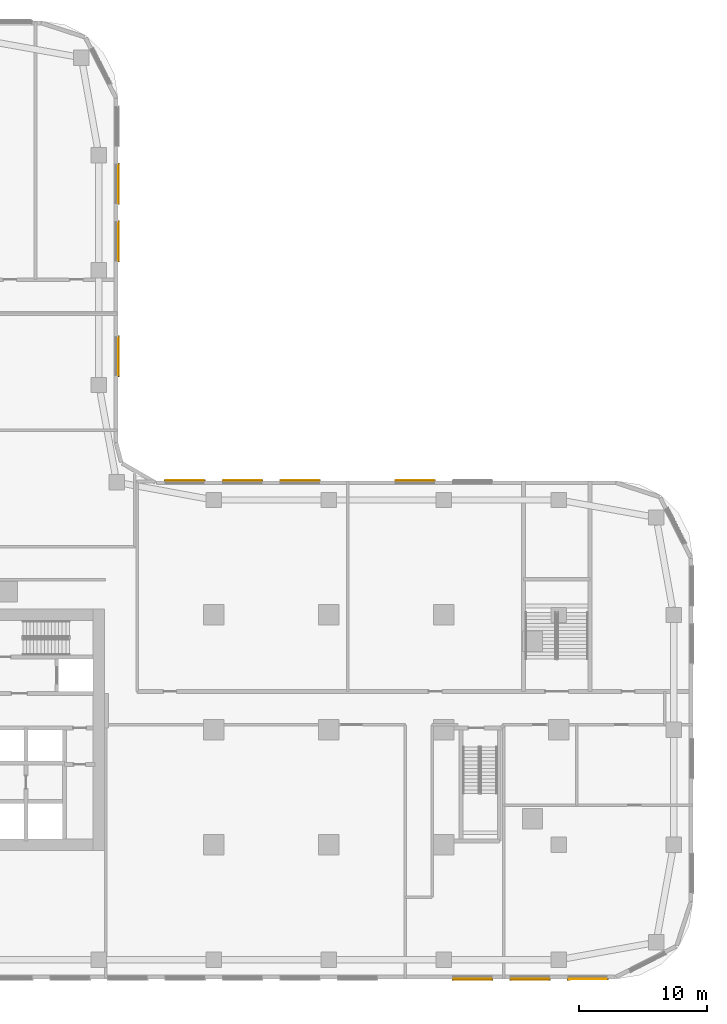
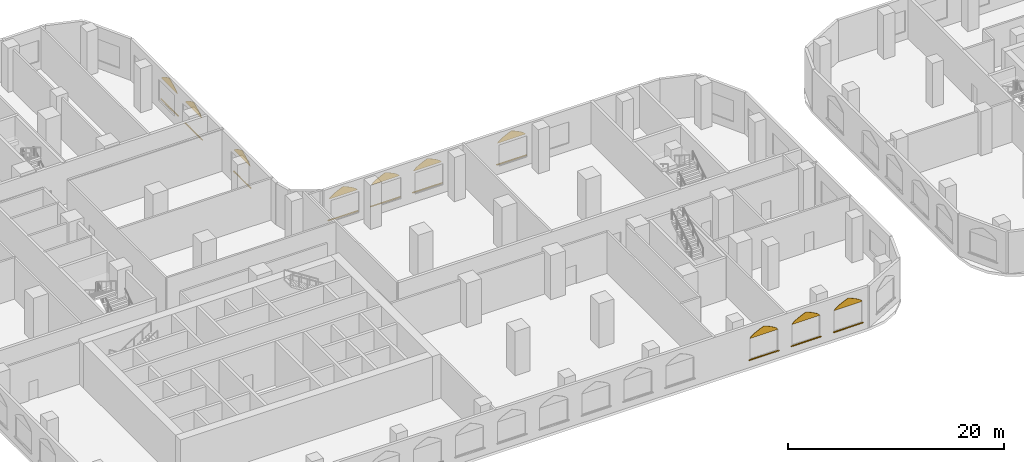
# One storey, part 25 of 31: 20 coverings.
"""IFC4 building model written with IfcOpenShell, lengths in metres."""

from ifc_helpers import new_model, si_unit, direction, frame, origin, origin_2d, place, context, subcontext, project, spatial, polyline, rectangle, outline, extrude, material, layer, layer_set, type_object, element, save


model = new_model("IFC4")

# Units and contexts
model_context = context("Model", 3, precision=1e-05, world=origin(), true_north=direction((0.0, 1.0)))
body_context = subcontext(model_context, "Body", "Model", "MODEL_VIEW")
ifc_project = project(units=[si_unit("LENGTHUNIT", "METRE"), si_unit("AREAUNIT", "SQUARE_METRE"), si_unit("VOLUMEUNIT", "CUBIC_METRE"), si_unit("PLANEANGLEUNIT", "RADIAN"), si_unit("MASSUNIT", "GRAM", prefix="KILO")], contexts=[model_context])

# Site, building, storey
site_placement = place(None, origin())
site = spatial("IfcSite", under=ifc_project, at=site_placement, CompositionType="ELEMENT")
building_placement = place(site_placement, origin())
building = spatial("IfcBuilding", under=site, at=building_placement, Name="Ogive Portal Towers", CompositionType="ELEMENT")
storey_placement = place(building_placement, frame((0.0, 0.0, 13.5)))
storey = spatial("IfcBuildingStorey", under=building, at=storey_placement, Name="L02", CompositionType="ELEMENT", Elevation=13.5)

# Coverings
ifc_material = material(Name="Limestone cladding on lightweight block wall", Category="masonry")
ifc_layer_1 = layer(ifc_material, 0.0400390625)
ifc_layer_set_1 = layer_set([ifc_layer_1], Name="LANCET HEAD STONE")
covering_type_1 = type_object("IfcCoveringType", Name="LANCET HEAD STONE", PredefinedType="CLADDING", material=ifc_layer_set_1)
for number, where, z_axis, x_axis, name in (
    (1, (86.25, 11.0, 3.300048828125), (0.0, 0.999950056531, 0.009994220538), (1.0, 0.0, 0.0), "Lancet head"),
    (2, (90.75, 11.0, 3.300048828125), (0.0, 0.999950056531, 0.009994220538), (1.0, 0.0, 0.0), "Lancet head"),
):
    element("IfcCovering", number, at=place(storey_placement, frame(where, z_axis=z_axis, x_axis=x_axis)), inside=storey, type_object=covering_type_1, Name=name, PredefinedType="CLADDING", context=body_context, shape_type="SweptSolid", body=[
        extrude(outline(polyline([(0.0, 0.0), (3.0, 0.0), (2.93359375, -0.11255540702230543), (2.8125, -0.22486424561759202), (2.655517578125, -0.3374196526398974), (2.4697265625, -0.4499726196669543), (2.2587890625, -0.5625280266892596), (2.025634765625, -0.6750834337115651), (1.772216796875, -0.7873922723068517), (1.5, -0.8999476793291572), (1.227783203125, -0.7873922723068517), (0.974365234375, -0.6750834337115651), (0.7412109375, -0.5625280266892596), (0.5302734375, -0.4499726196669543), (0.344482421875, -0.3374196526398974), (0.1875, -0.22486424561759202), (0.06640625, -0.11255540702230543), (0.0, 0.0)])), origin(), (0.0, 0.0, -1.0), 0.0400390625),
    ])
covering_1_placement = place(storey_placement, frame((95.273681640625, 11.0, 3.300048828125), z_axis=(0.0, 0.99995005646, 0.009994227635), x_axis=(1.0, 0.0, 0.0)))
element("IfcCovering", 3, at=covering_1_placement, inside=storey, type_object=covering_type_1, Name="Lancet head", PredefinedType="CLADDING", context=body_context, shape_type="SweptSolid", body=[
    extrude(outline(polyline([(0.0, 0.0), (3.0, 0.0), (2.933837890625, -0.11255540702298532), (2.8125, -0.22486424561723664), (2.655517578125, -0.33741965264022195), (2.4697265625, -0.44997261966622615), (2.259033203125, -0.5625280266892115), (2.02587890625, -0.6750834337121968), (1.7724609375, -0.7873922723064481), (1.5, -0.8999476793294334), (1.227783203125, -0.7873922723064481), (0.974365234375, -0.6750834337121968), (0.7412109375, -0.5625280266892115), (0.530517578125, -0.44997261966622615), (0.344482421875, -0.33741965264022195), (0.1875, -0.22486424561723664), (0.06640625, -0.11255540702298532), (0.0, 0.0)])), origin(), (0.0, 0.0, -1.0), 0.0400390625),
])
for number, where, z_axis, x_axis, name in (
    (4, (84.75, 50.0, 3.300048828125), (0.0, -0.999950056531, 0.009994220538), (-1.0, 0.0, 0.0), "Lancet head"),
    (5, (75.75, 50.0, 3.300048828125), (0.0, -0.999950056531, 0.009994220538), (-1.0, 0.0, 0.0), "Lancet head"),
    (6, (71.25, 50.0, 3.300048828125), (0.0, -0.999950056531, 0.009994220538), (-1.0, 0.0, 0.0), "Lancet head"),
):
    element("IfcCovering", number, at=place(storey_placement, frame(where, z_axis=z_axis, x_axis=x_axis)), inside=storey, type_object=covering_type_1, Name=name, PredefinedType="CLADDING", context=body_context, shape_type="SweptSolid", body=[
        extrude(outline(polyline([(0.0, 0.0), (3.0, 0.0), (2.93359375, -0.11255540702230543), (2.8125, -0.22486424561759202), (2.655517578125, -0.3374196526398974), (2.4697265625, -0.4499726196669543), (2.2587890625, -0.5625280266892596), (2.025634765625, -0.6750834337115651), (1.772216796875, -0.7873922723068517), (1.5, -0.8999476793291572), (1.227783203125, -0.7873922723068517), (0.974365234375, -0.6750834337115651), (0.7412109375, -0.5625280266892596), (0.5302734375, -0.4499726196669543), (0.344482421875, -0.3374196526398974), (0.1875, -0.22486424561759202), (0.06640625, -0.11255540702230543), (0.0, 0.0)])), origin(), (0.0, 0.0, -1.0), 0.0400390625),
    ])
covering_2_placement = place(storey_placement, frame((66.726318359375, 50.0, 3.300048828125), z_axis=(0.0, -0.99995005646, 0.009994227635), x_axis=(-1.0, 0.0, 0.0)))
element("IfcCovering", 7, at=covering_2_placement, inside=storey, type_object=covering_type_1, Name="Lancet head", PredefinedType="CLADDING", context=body_context, shape_type="SweptSolid", body=[
    extrude(outline(polyline([(0.0, 0.0), (3.0, 0.0), (2.933837890625, -0.11255540702298532), (2.8125, -0.22486424561723664), (2.655517578125, -0.33741965264022195), (2.4697265625, -0.44997261966622615), (2.259033203125, -0.5625280266892115), (2.02587890625, -0.6750834337121968), (1.7724609375, -0.7873922723064481), (1.5, -0.8999476793294334), (1.227783203125, -0.7873922723064481), (0.974365234375, -0.6750834337121968), (0.7412109375, -0.5625280266892115), (0.530517578125, -0.44997261966622615), (0.344482421875, -0.33741965264022195), (0.1875, -0.22486424561723664), (0.06640625, -0.11255540702298532), (0.0, 0.0)])), origin(), (0.0, 0.0, -1.0), 0.0400390625),
])
for number, where, z_axis, x_axis, name in (
    (8, (60.0, 58.25, 3.300048828125), (-0.999950056531, 0.0, 0.009994220538), (0.0, 1.0, 0.0), "Lancet head"),
    (9, (60.0, 67.25, 3.300048828125), (-0.999950056531, 0.0, 0.009994220538), (0.0, 1.0, 0.0), "Lancet head"),
    (10, (60.0, 71.75, 3.300048828125), (-0.999950056531, 0.0, 0.009994220538), (0.0, 1.0, 0.0), "Lancet head"),
):
    element("IfcCovering", number, at=place(storey_placement, frame(where, z_axis=z_axis, x_axis=x_axis)), inside=storey, type_object=covering_type_1, Name=name, PredefinedType="CLADDING", context=body_context, shape_type="SweptSolid", body=[
        extrude(outline(polyline([(0.0, 0.0), (3.0, 0.0), (2.93359375, -0.11255540702230543), (2.8125, -0.22486424561759202), (2.655517578125, -0.3374196526398974), (2.4697265625, -0.4499726196669543), (2.2587890625, -0.5625280266892596), (2.025634765625, -0.6750834337115651), (1.772216796875, -0.7873922723068517), (1.5, -0.8999476793291572), (1.227783203125, -0.7873922723068517), (0.974365234375, -0.6750834337115651), (0.7412109375, -0.5625280266892596), (0.5302734375, -0.4499726196669543), (0.344482421875, -0.3374196526398974), (0.1875, -0.22486424561759202), (0.06640625, -0.11255540702230543), (0.0, 0.0)])), origin(), (0.0, 0.0, -1.0), 0.0400390625),
    ])
ifc_layer_2 = layer(ifc_material, 0.080078125)
ifc_layer_set_2 = layer_set([ifc_layer_2], Name="STONE SILL 80")
covering_type_2 = type_object("IfcCoveringType", Name="STONE SILL 80", PredefinedType="CLADDING", material=ifc_layer_set_2)
for number, where, z_axis, x_axis, name in (
    (11, (87.75, 10.9599609375, 0.840087890625), (0.0, 0.0, 1.0), (1.0, 0.0, 0.0), "Stone sill"),
    (12, (92.25, 10.9599609375, 0.840087890625), (0.0, 0.0, 1.0), (1.0, 0.0, 0.0), "Stone sill"),
    (13, (96.773681640625, 10.9599609375, 0.840087890625), (0.0, 0.0, 1.0), (1.0, 0.0, 0.0), "Stone sill"),
    (14, (83.25, 50.0400390625, 0.840087890625), (0.0, 0.0, 1.0), (-1.0, 0.0, 0.0), "Stone sill"),
    (15, (74.25, 50.0400390625, 0.840087890625), (0.0, 0.0, 1.0), (-1.0, 0.0, 0.0), "Stone sill"),
    (16, (69.75, 50.0400390625, 0.840087890625), (0.0, 0.0, 1.0), (-1.0, 0.0, 0.0), "Stone sill"),
    (17, (65.226318359375, 50.0400390625, 0.840087890625), (0.0, 0.0, 1.0), (-1.0, 0.0, 0.0), "Stone sill"),
    (18, (60.0400390625, 59.75, 0.840087890625), (0.0, 0.0, 1.0), (0.0, 1.0, 0.0), "Stone sill"),
    (19, (60.0400390625, 68.75, 0.840087890625), (0.0, 0.0, 1.0), (0.0, 1.0, 0.0), "Stone sill"),
    (20, (60.0400390625, 73.25, 0.840087890625), (0.0, 0.0, 1.0), (0.0, 1.0, 0.0), "Stone sill"),
):
    element("IfcCovering", number, at=place(storey_placement, frame(where, z_axis=z_axis, x_axis=x_axis)), inside=storey, type_object=covering_type_2, Name=name, PredefinedType="CLADDING", context=body_context, shape_type="SweptSolid", body=[
        extrude(rectangle(XDim=3.199951171875, YDim=0.080078125, at=origin_2d()), origin(), (0.0, 0.0, 1.0), 0.06005859375),
    ])

save(model, "model.ifc")
